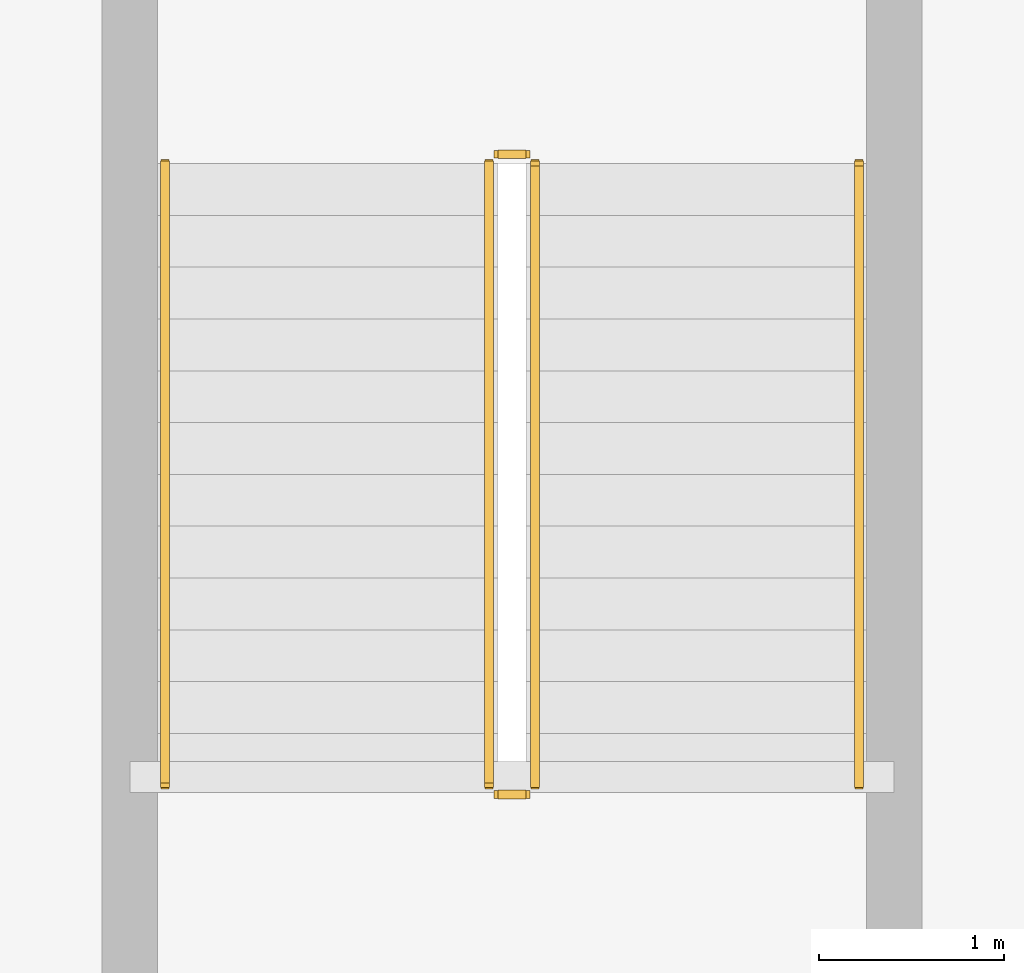
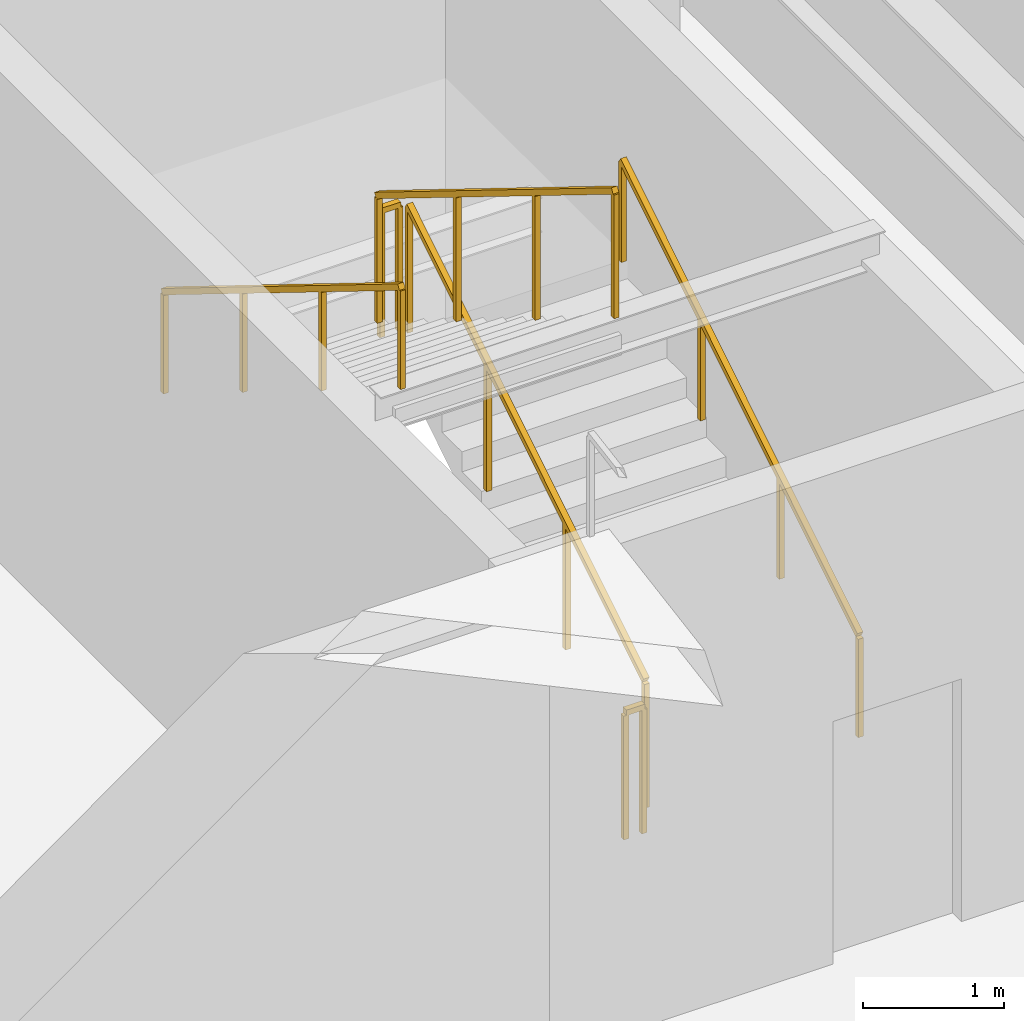
# One storey, part 12 of 12: 6 railings.
"""IFC4 building model written with IfcOpenShell, lengths in metres."""

from ifc_helpers import new_model, si_unit, direction, frame, origin, origin_2d, place, context, subcontext, project, spatial, rectangle, extrude, material, type_object, element, save


model = new_model("IFC4")

# Units and contexts
model_context = context("Model", 3, precision=1e-05, world=origin(), true_north=direction((0.0, 1.0)))
body_context = subcontext(model_context, "Body", "Model", "MODEL_VIEW")
ifc_project = project(units=[si_unit("LENGTHUNIT", "METRE"), si_unit("AREAUNIT", "SQUARE_METRE"), si_unit("VOLUMEUNIT", "CUBIC_METRE"), si_unit("PLANEANGLEUNIT", "RADIAN"), si_unit("MASSUNIT", "GRAM", prefix="KILO")], contexts=[model_context])

# Site, building, storey
site_placement = place(None, origin())
site = spatial("IfcSite", under=ifc_project, at=site_placement, CompositionType="ELEMENT")
building_placement = place(site_placement, origin())
building = spatial("IfcBuilding", under=site, at=building_placement, Name="Vantalir Tower", CompositionType="ELEMENT")
storey_placement = place(building_placement, frame((0.0, 0.0, -4.5)))
storey = spatial("IfcBuildingStorey", under=building, at=storey_placement, Name="B01", CompositionType="ELEMENT", Elevation=-4.5)

# Railings
ifc_material_1 = material(Name="Anodised aluminium and stainless steel guard", Category="steel")
railing_type_1 = type_object("IfcRailingType", Name="RAL-GUARD-1120", PredefinedType="GUARDRAIL", material=ifc_material_1)
railing_1_placement = place(storey_placement, frame((57.199951171875, 40.85009765625, 0.173095703125)))
element("IfcRailing", 1, at=railing_1_placement, inside=storey, type_object=railing_type_1, Name="B01 PST2 stair guard 1", PredefinedType="GUARDRAIL", context=body_context, shape_type="SweptSolid", body=[
    extrude(rectangle(XDim=0.048095703125, YDim=0.048095703125, at=origin_2d()), frame((0.0, 0.0, 1.09619140625), z_axis=(0.0, 0.850606129759, 0.525803396734), x_axis=(-1.0, 0.0, 0.0)), (0.0, 0.0, 1.0), 3.949951171875),
    extrude(rectangle(XDim=0.0419921875, YDim=0.0419921875, at=origin_2d()), origin(), (0.0, 0.0, 1.0), 1.072021484375),
    extrude(rectangle(XDim=0.0419921875, YDim=0.0419921875, at=origin_2d()), frame((0.0, 1.119873046875, 0.6923828125)), (0.0, 0.0, 1.0), 1.072021484375),
    extrude(rectangle(XDim=0.0419921875, YDim=0.0419921875, at=origin_2d()), frame((0.0, 2.239990234375, 1.384521484375)), (0.0, 0.0, 1.0), 1.072021484375),
    extrude(rectangle(XDim=0.0419921875, YDim=0.0419921875, at=origin_2d()), frame((0.0, 3.35986328125, 2.076904296875)), (0.0, 0.0, 1.0), 1.072021484375),
])
railing_2_placement = place(storey_placement, frame((57.14990234375, 44.260009765625, 2.25)))
element("IfcRailing", 2, at=railing_2_placement, inside=storey, type_object=railing_type_1, Name="B01 PST2 stair guard 2", PredefinedType="GUARDRAIL", context=body_context, shape_type="SweptSolid", body=[
    extrude(rectangle(XDim=0.048095703125, YDim=0.048095703125, at=origin_2d()), frame((0.0, 0.0, 1.09619140625), z_axis=(-1.0, 0.0, 0.0), x_axis=(0.0, -1.0, 0.0)), (0.0, 0.0, 1.0), 0.14990234375),
    extrude(rectangle(XDim=0.0419921875, YDim=0.0419921875, at=origin_2d()), origin(), (0.0, 0.0, 1.0), 1.072021484375),
    extrude(rectangle(XDim=0.0419921875, YDim=0.0419921875, at=origin_2d()), frame((-0.14990234375, 0.0, 0.0)), (0.0, 0.0, 1.0), 1.072021484375),
])
railing_3_placement = place(storey_placement, frame((56.949951171875, 44.2099609375, 2.423095703125)))
element("IfcRailing", 3, at=railing_3_placement, inside=storey, type_object=railing_type_1, Name="B01 PST2 stair guard 3", PredefinedType="GUARDRAIL", context=body_context, shape_type="SweptSolid", body=[
    extrude(rectangle(XDim=0.048095703125, YDim=0.048095703125, at=origin_2d()), frame((0.0, 0.0, 1.09619140625), z_axis=(0.0, -0.850606129759, 0.525803396734), x_axis=(1.0, 0.0, 0.0)), (0.0, 0.0, 1.0), 3.949951171875),
    extrude(rectangle(XDim=0.0419921875, YDim=0.0419921875, at=origin_2d()), origin(), (0.0, 0.0, 1.0), 1.072021484375),
    extrude(rectangle(XDim=0.0419921875, YDim=0.0419921875, at=origin_2d()), frame((0.0, -1.119873046875, 0.6923828125)), (0.0, 0.0, 1.0), 1.072021484375),
    extrude(rectangle(XDim=0.0419921875, YDim=0.0419921875, at=origin_2d()), frame((0.0, -2.239990234375, 1.384521484375)), (0.0, 0.0, 1.0), 1.072021484375),
    extrude(rectangle(XDim=0.0419921875, YDim=0.0419921875, at=origin_2d()), frame((0.0, -3.35986328125, 2.076904296875)), (0.0, 0.0, 1.0), 1.072021484375),
])
railing_4_placement = place(storey_placement, frame((57.14990234375, 40.800048828125, 0.0)))
element("IfcRailing", 4, at=railing_4_placement, inside=storey, type_object=railing_type_1, Name="B01 PST2 stair guard 4", PredefinedType="GUARDRAIL", context=body_context, shape_type="SweptSolid", body=[
    extrude(rectangle(XDim=0.048095703125, YDim=0.048095703125, at=origin_2d()), frame((0.0, 0.0, 1.09619140625), z_axis=(-1.0, 0.0, 0.0), x_axis=(0.0, -1.0, 0.0)), (0.0, 0.0, 1.0), 0.14990234375),
    extrude(rectangle(XDim=0.0419921875, YDim=0.0419921875, at=origin_2d()), origin(), (0.0, 0.0, 1.0), 1.072021484375),
    extrude(rectangle(XDim=0.0419921875, YDim=0.0419921875, at=origin_2d()), frame((-0.14990234375, 0.0, 0.0)), (0.0, 0.0, 1.0), 1.072021484375),
])
ifc_material_2 = material(Name="Brushed stainless steel tubular handrail", Category="steel")
railing_type_2 = type_object("IfcRailingType", Name="RAL-HANDRAIL-900", PredefinedType="HANDRAIL", material=ifc_material_2)
railing_5_placement = place(storey_placement, frame((58.949951171875, 40.85009765625, 0.173095703125)))
element("IfcRailing", 5, at=railing_5_placement, inside=storey, type_object=railing_type_2, Name="B01 PST2 stair handrail 1", PredefinedType="HANDRAIL", context=body_context, shape_type="SweptSolid", body=[
    extrude(rectangle(XDim=0.048095703125, YDim=0.048095703125, at=origin_2d()), frame((0.0, 0.0, 0.8759765625), z_axis=(0.0, 0.850606129759, 0.525803396734), x_axis=(-1.0, 0.0, 0.0)), (0.0, 0.0, 1.0), 3.949951171875),
    extrude(rectangle(XDim=0.0419921875, YDim=0.0419921875, at=origin_2d()), origin(), (0.0, 0.0, 1.0), 0.851806640625),
    extrude(rectangle(XDim=0.0419921875, YDim=0.0419921875, at=origin_2d()), frame((0.0, 1.119873046875, 0.6923828125)), (0.0, 0.0, 1.0), 0.851806640625),
    extrude(rectangle(XDim=0.0419921875, YDim=0.0419921875, at=origin_2d()), frame((0.0, 2.239990234375, 1.384521484375)), (0.0, 0.0, 1.0), 0.851806640625),
    extrude(rectangle(XDim=0.0419921875, YDim=0.0419921875, at=origin_2d()), frame((0.0, 3.35986328125, 2.076904296875)), (0.0, 0.0, 1.0), 0.851806640625),
])
railing_6_placement = place(storey_placement, frame((55.199951171875, 44.2099609375, 2.423095703125)))
element("IfcRailing", 6, at=railing_6_placement, inside=storey, type_object=railing_type_2, Name="B01 PST2 stair handrail 2", PredefinedType="HANDRAIL", context=body_context, shape_type="SweptSolid", body=[
    extrude(rectangle(XDim=0.048095703125, YDim=0.048095703125, at=origin_2d()), frame((0.0, 0.0, 0.8759765625), z_axis=(0.0, -0.850606129759, 0.525803396734), x_axis=(1.0, 0.0, 0.0)), (0.0, 0.0, 1.0), 3.949951171875),
    extrude(rectangle(XDim=0.0419921875, YDim=0.0419921875, at=origin_2d()), origin(), (0.0, 0.0, 1.0), 0.851806640625),
    extrude(rectangle(XDim=0.0419921875, YDim=0.0419921875, at=origin_2d()), frame((0.0, -1.119873046875, 0.6923828125)), (0.0, 0.0, 1.0), 0.851806640625),
    extrude(rectangle(XDim=0.0419921875, YDim=0.0419921875, at=origin_2d()), frame((0.0, -2.239990234375, 1.384521484375)), (0.0, 0.0, 1.0), 0.851806640625),
    extrude(rectangle(XDim=0.0419921875, YDim=0.0419921875, at=origin_2d()), frame((0.0, -3.35986328125, 2.076904296875)), (0.0, 0.0, 1.0), 0.851806640625),
])

save(model, "model.ifc")
